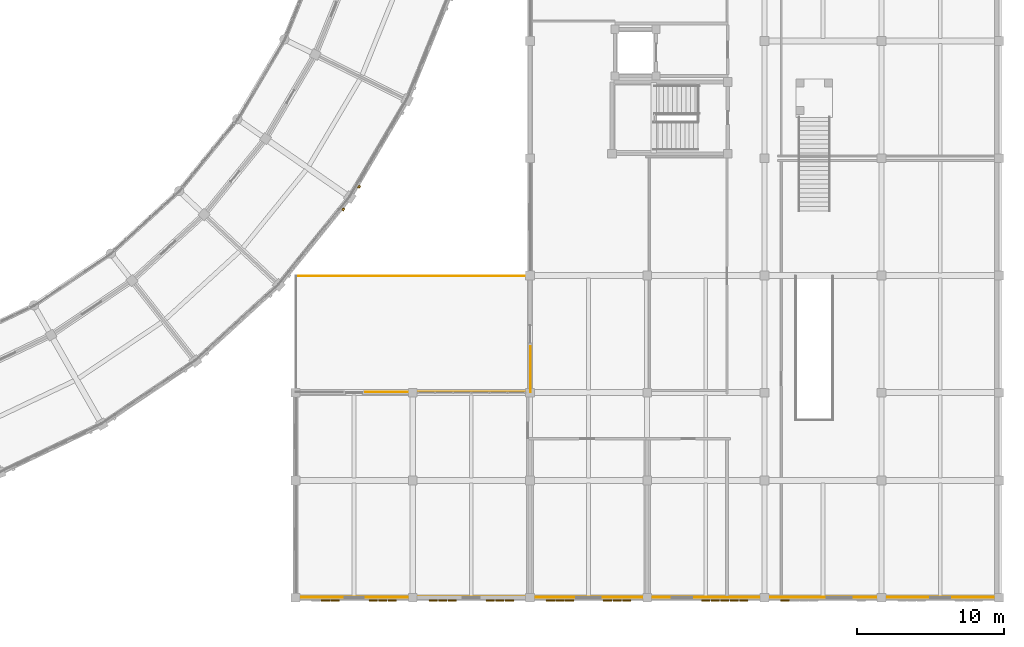
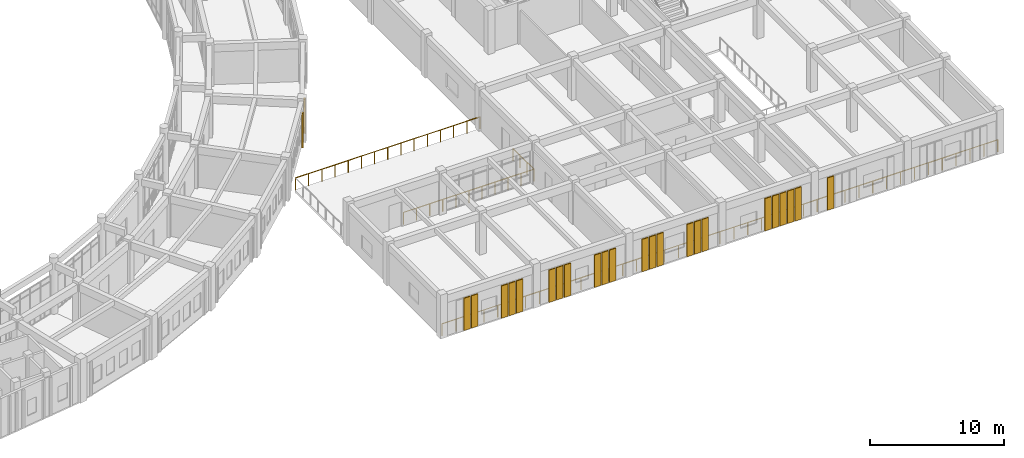
# One storey, part 153 of 159: 23 shading devices, 4 railings, 2 coverings.
"""IFC4 building model written with IfcOpenShell, lengths in metres."""

from ifc_helpers import new_model, si_unit, direction, frame, origin, origin_2d, place, context, subcontext, project, spatial, rectangle, circle, extrude, material, layer, layer_set, type_object, element, save


model = new_model("IFC4")

# Units and contexts
model_context = context("Model", 3, precision=1e-05, world=origin(), true_north=direction((0.0, 1.0)))
body_context = subcontext(model_context, "Body", "Model", "MODEL_VIEW")
ifc_project = project(units=[si_unit("LENGTHUNIT", "METRE"), si_unit("AREAUNIT", "SQUARE_METRE"), si_unit("VOLUMEUNIT", "CUBIC_METRE"), si_unit("PLANEANGLEUNIT", "RADIAN"), si_unit("MASSUNIT", "GRAM", prefix="KILO")], contexts=[model_context])

# Site, building, storey
site_placement = place(None, origin())
site = spatial("IfcSite", under=ifc_project, at=site_placement, CompositionType="ELEMENT")
building_placement = place(site_placement, origin())
building = spatial("IfcBuilding", under=site, at=building_placement, Name="Celadon Cloister-Ring School", CompositionType="ELEMENT")
storey_placement = place(building_placement, frame((0.0, 0.0, 4.5)))
storey = spatial("IfcBuildingStorey", under=building, at=storey_placement, Name="L01", CompositionType="ELEMENT", Elevation=4.5)

# Coverings
ifc_material_1 = material(Name="Perforated terracotta clay brick masonry", Category="masonry")
ifc_layer = layer(ifc_material_1, 0.139892578125)
ifc_layer_set = layer_set([ifc_layer], Name="Perforated terracotta clay brick masonry")
covering_type = type_object("IfcCoveringType", Name="CV-SC1", PredefinedType="CLADDING", material=ifc_layer_set)
for number, where, z_axis, x_axis, name in (
    (1, (129.26611328125, 28.510009765625, 0.0), (0.0, 0.0, 1.0), (-0.629510264842, -0.776992166279, 0.0), "Brick Screen Rib 0183"),
    (2, (130.3359375, 30.049072265625, 0.0), (0.0, 0.0, 1.0), (-0.507809026694, -0.861469670045, 0.0), "Brick Screen Rib 0186"),
):
    element("IfcCovering", number, at=place(storey_placement, frame(where, z_axis=z_axis, x_axis=x_axis)), inside=storey, type_object=covering_type, Name=name, PredefinedType="CLADDING", context=body_context, shape_type="SweptSolid", body=[
        extrude(rectangle(XDim=0.179931640625, YDim=0.139892578125, at=origin_2d()), origin(), (0.0, 0.0, 1.0), 3.152099609375),
    ])

# Railings
ifc_material_2 = material(Name="Structural steel S355JR", Category="steel")
railing_type = type_object("IfcRailingType", Name="RL-BL1", PredefinedType="BALUSTRADE", material=ifc_material_2)
railing_1_placement = place(storey_placement, frame((141.9599609375, 23.9599609375, 0.0)))
element("IfcRailing", 3, at=railing_1_placement, inside=storey, type_object=railing_type, Name="Terrace Balustrade 0417", PredefinedType="BALUSTRADE", context=body_context, shape_type="SweptSolid", body=[
    extrude(circle(Radius=0.02392578125, at=origin_2d()), frame((0.0, 0.0, 1.09619140625), z_axis=(-1.0, 0.0, 0.0), x_axis=(0.0, -1.0, 0.0)), (0.0, 0.0, 1.0), 15.919921875),
    extrude(circle(Radius=0.02099609375, at=origin_2d()), origin(), (0.0, 0.0, 1.0), 1.072021484375),
    extrude(circle(Radius=0.02099609375, at=origin_2d()), frame((-1.13720703125, 0.0, 0.0)), (0.0, 0.0, 1.0), 1.072021484375),
    extrude(circle(Radius=0.02099609375, at=origin_2d()), frame((-2.274169921875, 0.0, 0.0)), (0.0, 0.0, 1.0), 1.072021484375),
    extrude(circle(Radius=0.02099609375, at=origin_2d()), frame((-3.411376953125, 0.0, 0.0)), (0.0, 0.0, 1.0), 1.072021484375),
    extrude(circle(Radius=0.02099609375, at=origin_2d()), frame((-4.548583984375, 0.0, 0.0)), (0.0, 0.0, 1.0), 1.072021484375),
    extrude(circle(Radius=0.02099609375, at=origin_2d()), frame((-5.685791015625, 0.0, 0.0)), (0.0, 0.0, 1.0), 1.072021484375),
    extrude(circle(Radius=0.02099609375, at=origin_2d()), frame((-6.82275390625, 0.0, 0.0)), (0.0, 0.0, 1.0), 1.072021484375),
    extrude(circle(Radius=0.02099609375, at=origin_2d()), frame((-7.9599609375, 0.0, 0.0)), (0.0, 0.0, 1.0), 1.072021484375),
    extrude(circle(Radius=0.02099609375, at=origin_2d()), frame((-9.09716796875, 0.0, 0.0)), (0.0, 0.0, 1.0), 1.072021484375),
    extrude(circle(Radius=0.02099609375, at=origin_2d()), frame((-10.234130859375, 0.0, 0.0)), (0.0, 0.0, 1.0), 1.072021484375),
    extrude(circle(Radius=0.02099609375, at=origin_2d()), frame((-11.371337890625, 0.0, 0.0)), (0.0, 0.0, 1.0), 1.072021484375),
    extrude(circle(Radius=0.02099609375, at=origin_2d()), frame((-12.508544921875, 0.0, 0.0)), (0.0, 0.0, 1.0), 1.072021484375),
    extrude(circle(Radius=0.02099609375, at=origin_2d()), frame((-13.645751953125, 0.0, 0.0)), (0.0, 0.0, 1.0), 1.072021484375),
    extrude(circle(Radius=0.02099609375, at=origin_2d()), frame((-14.78271484375, 0.0, 0.0)), (0.0, 0.0, 1.0), 1.072021484375),
    extrude(circle(Radius=0.02099609375, at=origin_2d()), frame((-15.919921875, 0.0, 0.0)), (0.0, 0.0, 1.0), 1.072021484375),
])
railing_2_placement = place(storey_placement, frame((126.0400390625, 2.0400390625, 0.0)))
element("IfcRailing", 4, at=railing_2_placement, inside=storey, type_object=railing_type, Name="Terrace Balustrade 0419", PredefinedType="BALUSTRADE", context=body_context, shape_type="SweptSolid", body=[
    extrude(circle(Radius=0.02392578125, at=origin_2d()), frame((0.0, 0.0, 1.09619140625), z_axis=(1.0, 0.0, 0.0), x_axis=(0.0, 1.0, 0.0)), (0.0, 0.0, 1.0), 47.919921875),
    extrude(circle(Radius=0.02099609375, at=origin_2d()), origin(), (0.0, 0.0, 1.0), 1.072021484375),
    extrude(circle(Radius=0.02099609375, at=origin_2d()), frame((1.197998046875, 0.0, 0.0)), (0.0, 0.0, 1.0), 1.072021484375),
    extrude(circle(Radius=0.02099609375, at=origin_2d()), frame((2.39599609375, 0.0, 0.0)), (0.0, 0.0, 1.0), 1.072021484375),
    extrude(circle(Radius=0.02099609375, at=origin_2d()), frame((3.593994140625, 0.0, 0.0)), (0.0, 0.0, 1.0), 1.072021484375),
    extrude(circle(Radius=0.02099609375, at=origin_2d()), frame((4.7919921875, 0.0, 0.0)), (0.0, 0.0, 1.0), 1.072021484375),
    extrude(circle(Radius=0.02099609375, at=origin_2d()), frame((5.989990234375, 0.0, 0.0)), (0.0, 0.0, 1.0), 1.072021484375),
    extrude(circle(Radius=0.02099609375, at=origin_2d()), frame((7.18798828125, 0.0, 0.0)), (0.0, 0.0, 1.0), 1.072021484375),
    extrude(circle(Radius=0.02099609375, at=origin_2d()), frame((8.385986328125, 0.0, 0.0)), (0.0, 0.0, 1.0), 1.072021484375),
    extrude(circle(Radius=0.02099609375, at=origin_2d()), frame((9.583984375, 0.0, 0.0)), (0.0, 0.0, 1.0), 1.072021484375),
    extrude(circle(Radius=0.02099609375, at=origin_2d()), frame((10.781982421875, 0.0, 0.0)), (0.0, 0.0, 1.0), 1.072021484375),
    extrude(circle(Radius=0.02099609375, at=origin_2d()), frame((11.97998046875, 0.0, 0.0)), (0.0, 0.0, 1.0), 1.072021484375),
    extrude(circle(Radius=0.02099609375, at=origin_2d()), frame((13.177978515625, 0.0, 0.0)), (0.0, 0.0, 1.0), 1.072021484375),
    extrude(circle(Radius=0.02099609375, at=origin_2d()), frame((14.3759765625, 0.0, 0.0)), (0.0, 0.0, 1.0), 1.072021484375),
    extrude(circle(Radius=0.02099609375, at=origin_2d()), frame((15.573974609375, 0.0, 0.0)), (0.0, 0.0, 1.0), 1.072021484375),
    extrude(circle(Radius=0.02099609375, at=origin_2d()), frame((16.77197265625, 0.0, 0.0)), (0.0, 0.0, 1.0), 1.072021484375),
    extrude(circle(Radius=0.02099609375, at=origin_2d()), frame((17.969970703125, 0.0, 0.0)), (0.0, 0.0, 1.0), 1.072021484375),
    extrude(circle(Radius=0.02099609375, at=origin_2d()), frame((19.16796875, 0.0, 0.0)), (0.0, 0.0, 1.0), 1.072021484375),
    extrude(circle(Radius=0.02099609375, at=origin_2d()), frame((20.365966796875, 0.0, 0.0)), (0.0, 0.0, 1.0), 1.072021484375),
    extrude(circle(Radius=0.02099609375, at=origin_2d()), frame((21.56396484375, 0.0, 0.0)), (0.0, 0.0, 1.0), 1.072021484375),
    extrude(circle(Radius=0.02099609375, at=origin_2d()), frame((22.761962890625, 0.0, 0.0)), (0.0, 0.0, 1.0), 1.072021484375),
    extrude(circle(Radius=0.02099609375, at=origin_2d()), frame((23.9599609375, 0.0, 0.0)), (0.0, 0.0, 1.0), 1.072021484375),
    extrude(circle(Radius=0.02099609375, at=origin_2d()), frame((25.157958984375, 0.0, 0.0)), (0.0, 0.0, 1.0), 1.072021484375),
    extrude(circle(Radius=0.02099609375, at=origin_2d()), frame((26.35595703125, 0.0, 0.0)), (0.0, 0.0, 1.0), 1.072021484375),
    extrude(circle(Radius=0.02099609375, at=origin_2d()), frame((27.553955078125, 0.0, 0.0)), (0.0, 0.0, 1.0), 1.072021484375),
    extrude(circle(Radius=0.02099609375, at=origin_2d()), frame((28.751953125, 0.0, 0.0)), (0.0, 0.0, 1.0), 1.072021484375),
    extrude(circle(Radius=0.02099609375, at=origin_2d()), frame((29.949951171875, 0.0, 0.0)), (0.0, 0.0, 1.0), 1.072021484375),
    extrude(circle(Radius=0.02099609375, at=origin_2d()), frame((31.14794921875, 0.0, 0.0)), (0.0, 0.0, 1.0), 1.072021484375),
    extrude(circle(Radius=0.02099609375, at=origin_2d()), frame((32.345947265625, 0.0, 0.0)), (0.0, 0.0, 1.0), 1.072021484375),
    extrude(circle(Radius=0.02099609375, at=origin_2d()), frame((33.5439453125, 0.0, 0.0)), (0.0, 0.0, 1.0), 1.072021484375),
    extrude(circle(Radius=0.02099609375, at=origin_2d()), frame((34.741943359375, 0.0, 0.0)), (0.0, 0.0, 1.0), 1.072021484375),
    extrude(circle(Radius=0.02099609375, at=origin_2d()), frame((35.93994140625, 0.0, 0.0)), (0.0, 0.0, 1.0), 1.072021484375),
    extrude(circle(Radius=0.02099609375, at=origin_2d()), frame((37.137939453125, 0.0, 0.0)), (0.0, 0.0, 1.0), 1.072021484375),
    extrude(circle(Radius=0.02099609375, at=origin_2d()), frame((38.3359375, 0.0, 0.0)), (0.0, 0.0, 1.0), 1.072021484375),
    extrude(circle(Radius=0.02099609375, at=origin_2d()), frame((39.533935546875, 0.0, 0.0)), (0.0, 0.0, 1.0), 1.072021484375),
    extrude(circle(Radius=0.02099609375, at=origin_2d()), frame((40.73193359375, 0.0, 0.0)), (0.0, 0.0, 1.0), 1.072021484375),
    extrude(circle(Radius=0.02099609375, at=origin_2d()), frame((41.929931640625, 0.0, 0.0)), (0.0, 0.0, 1.0), 1.072021484375),
    extrude(circle(Radius=0.02099609375, at=origin_2d()), frame((43.1279296875, 0.0, 0.0)), (0.0, 0.0, 1.0), 1.072021484375),
    extrude(circle(Radius=0.02099609375, at=origin_2d()), frame((44.325927734375, 0.0, 0.0)), (0.0, 0.0, 1.0), 1.072021484375),
    extrude(circle(Radius=0.02099609375, at=origin_2d()), frame((45.52392578125, 0.0, 0.0)), (0.0, 0.0, 1.0), 1.072021484375),
    extrude(circle(Radius=0.02099609375, at=origin_2d()), frame((46.721923828125, 0.0, 0.0)), (0.0, 0.0, 1.0), 1.072021484375),
    extrude(circle(Radius=0.02099609375, at=origin_2d()), frame((47.919921875, 0.0, 0.0)), (0.0, 0.0, 1.0), 1.072021484375),
])
railing_3_placement = place(storey_placement, frame((142.0400390625, 19.152099609375, 0.0)))
element("IfcRailing", 5, at=railing_3_placement, inside=storey, type_object=railing_type, Name="Terrace Balustrade 0423", PredefinedType="BALUSTRADE", context=body_context, shape_type="SweptSolid", body=[
    extrude(circle(Radius=0.02392578125, at=origin_2d()), frame((0.0, 0.0, 1.09619140625), z_axis=(0.0, -1.0, 0.0), x_axis=(1.0, 0.0, 0.0)), (0.0, 0.0, 1.0), 3.112060546875),
    extrude(circle(Radius=0.02099609375, at=origin_2d()), origin(), (0.0, 0.0, 1.0), 1.072021484375),
    extrude(circle(Radius=0.02099609375, at=origin_2d()), frame((0.0, -1.037353515625, 0.0)), (0.0, 0.0, 1.0), 1.072021484375),
    extrude(circle(Radius=0.02099609375, at=origin_2d()), frame((0.0, -2.07470703125, 0.0)), (0.0, 0.0, 1.0), 1.072021484375),
    extrude(circle(Radius=0.02099609375, at=origin_2d()), frame((0.0, -3.112060546875, 0.0)), (0.0, 0.0, 1.0), 1.072021484375),
])
railing_4_placement = place(storey_placement, frame((142.0400390625, 16.0400390625, 0.0)))
element("IfcRailing", 6, at=railing_4_placement, inside=storey, type_object=railing_type, Name="Terrace Balustrade 0424", PredefinedType="BALUSTRADE", context=body_context, shape_type="SweptSolid", body=[
    extrude(circle(Radius=0.02392578125, at=origin_2d()), frame((0.0, 0.0, 1.09619140625), z_axis=(-1.0, 0.0, 0.0), x_axis=(0.0, -1.0, 0.0)), (0.0, 0.0, 1.0), 11.241943359375),
    extrude(circle(Radius=0.02099609375, at=origin_2d()), origin(), (0.0, 0.0, 1.0), 1.072021484375),
    extrude(circle(Radius=0.02099609375, at=origin_2d()), frame((-1.124267578125, 0.0, 0.0)), (0.0, 0.0, 1.0), 1.072021484375),
    extrude(circle(Radius=0.02099609375, at=origin_2d()), frame((-2.248291015625, 0.0, 0.0)), (0.0, 0.0, 1.0), 1.072021484375),
    extrude(circle(Radius=0.02099609375, at=origin_2d()), frame((-3.37255859375, 0.0, 0.0)), (0.0, 0.0, 1.0), 1.072021484375),
    extrude(circle(Radius=0.02099609375, at=origin_2d()), frame((-4.496826171875, 0.0, 0.0)), (0.0, 0.0, 1.0), 1.072021484375),
    extrude(circle(Radius=0.02099609375, at=origin_2d()), frame((-5.62109375, 0.0, 0.0)), (0.0, 0.0, 1.0), 1.072021484375),
    extrude(circle(Radius=0.02099609375, at=origin_2d()), frame((-6.7451171875, 0.0, 0.0)), (0.0, 0.0, 1.0), 1.072021484375),
    extrude(circle(Radius=0.02099609375, at=origin_2d()), frame((-7.869384765625, 0.0, 0.0)), (0.0, 0.0, 1.0), 1.072021484375),
    extrude(circle(Radius=0.02099609375, at=origin_2d()), frame((-8.99365234375, 0.0, 0.0)), (0.0, 0.0, 1.0), 1.072021484375),
    extrude(circle(Radius=0.02099609375, at=origin_2d()), frame((-10.11767578125, 0.0, 0.0)), (0.0, 0.0, 1.0), 1.072021484375),
    extrude(circle(Radius=0.02099609375, at=origin_2d()), frame((-11.241943359375, 0.0, 0.0)), (0.0, 0.0, 1.0), 1.072021484375),
])

# Shading devices
ifc_material_3 = material(Name="Glazed celadon architectural terracotta", Category="masonry")
shading_device_type = type_object("IfcShadingDeviceType", Name="SD-01", PredefinedType="USERDEFINED", material=ifc_material_3)
for number, where, z_axis, x_axis, name in (
    (7, (159.39990234375, 1.827880859375, 0.0), (0.0, 0.0, 1.0), (-1.0, 0.0, 0.0), "Celadon Sunshade Screen 0038"),
    (8, (156.60009765625, 1.827880859375, 0.0), (0.0, 0.0, 1.0), (-1.0, 0.0, 0.0), "Celadon Sunshade Screen 0039"),
    (9, (155.949951171875, 1.827880859375, 0.0), (0.0, 0.0, 1.0), (-1.0, 0.0, 0.0), "Celadon Sunshade Screen 0040"),
    (10, (155.300048828125, 1.827880859375, 0.0), (0.0, 0.0, 1.0), (-1.0, 0.0, 0.0), "Celadon Sunshade Screen 0041"),
    (11, (154.64990234375, 1.827880859375, 0.0), (0.0, 0.0, 1.0), (-1.0, 0.0, 0.0), "Celadon Sunshade Screen 0042"),
    (12, (154.0, 1.827880859375, 0.0), (0.0, 0.0, 1.0), (-1.0, 0.0, 0.0), "Celadon Sunshade Screen 0043"),
    (13, (148.60009765625, 1.827880859375, 0.0), (0.0, 0.0, 1.0), (-1.0, 0.0, 0.0), "Celadon Sunshade Screen 0044"),
    (14, (147.949951171875, 1.827880859375, 0.0), (0.0, 0.0, 1.0), (-1.0, 0.0, 0.0), "Celadon Sunshade Screen 0045"),
    (15, (147.300048828125, 1.827880859375, 0.0), (0.0, 0.0, 1.0), (-1.0, 0.0, 0.0), "Celadon Sunshade Screen 0046"),
    (16, (144.699951171875, 1.827880859375, 0.0), (0.0, 0.0, 1.0), (-1.0, 0.0, 0.0), "Celadon Sunshade Screen 0047"),
    (17, (144.050048828125, 1.827880859375, 0.0), (0.0, 0.0, 1.0), (-1.0, 0.0, 0.0), "Celadon Sunshade Screen 0048"),
    (18, (143.39990234375, 1.827880859375, 0.0), (0.0, 0.0, 1.0), (-1.0, 0.0, 0.0), "Celadon Sunshade Screen 0049"),
    (19, (140.60009765625, 1.827880859375, 0.0), (0.0, 0.0, 1.0), (-1.0, 0.0, 0.0), "Celadon Sunshade Screen 0050"),
    (20, (139.949951171875, 1.827880859375, 0.0), (0.0, 0.0, 1.0), (-1.0, 0.0, 0.0), "Celadon Sunshade Screen 0051"),
    (21, (139.300048828125, 1.827880859375, 0.0), (0.0, 0.0, 1.0), (-1.0, 0.0, 0.0), "Celadon Sunshade Screen 0052"),
    (22, (136.699951171875, 1.827880859375, 0.0), (0.0, 0.0, 1.0), (-1.0, 0.0, 0.0), "Celadon Sunshade Screen 0053"),
    (23, (136.050048828125, 1.827880859375, 0.0), (0.0, 0.0, 1.0), (-1.0, 0.0, 0.0), "Celadon Sunshade Screen 0054"),
    (24, (135.39990234375, 1.827880859375, 0.0), (0.0, 0.0, 1.0), (-1.0, 0.0, 0.0), "Celadon Sunshade Screen 0055"),
    (25, (132.60009765625, 1.827880859375, 0.0), (0.0, 0.0, 1.0), (-1.0, 0.0, 0.0), "Celadon Sunshade Screen 0056"),
    (26, (131.949951171875, 1.827880859375, 0.0), (0.0, 0.0, 1.0), (-1.0, 0.0, 0.0), "Celadon Sunshade Screen 0057"),
    (27, (131.300048828125, 1.827880859375, 0.0), (0.0, 0.0, 1.0), (-1.0, 0.0, 0.0), "Celadon Sunshade Screen 0058"),
    (28, (128.699951171875, 1.827880859375, 0.0), (0.0, 0.0, 1.0), (-1.0, 0.0, 0.0), "Celadon Sunshade Screen 0059"),
    (29, (128.050048828125, 1.827880859375, 0.0), (0.0, 0.0, 1.0), (-1.0, 0.0, 0.0), "Celadon Sunshade Screen 0060"),
):
    element("IfcShadingDevice", number, at=place(storey_placement, frame(where, z_axis=z_axis, x_axis=x_axis)), inside=storey, type_object=shading_device_type, Name=name, ObjectType="SUNSHADE", PredefinedType="USERDEFINED", context=body_context, shape_type="SweptSolid", body=[
        extrude(rectangle(XDim=0.56005859375, YDim=0.090087890625, at=origin_2d()), origin(), (0.0, 0.0, 1.0), 2.949951171875),
    ])

save(model, "model.ifc")
